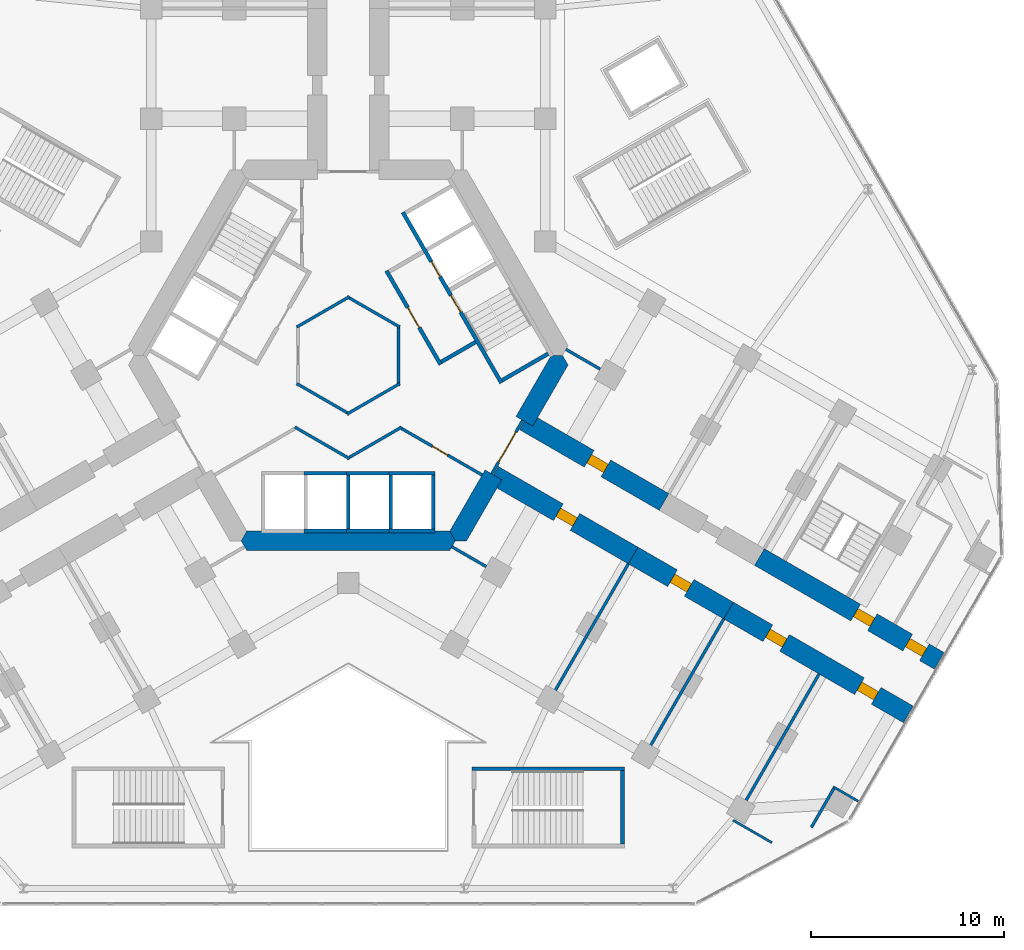
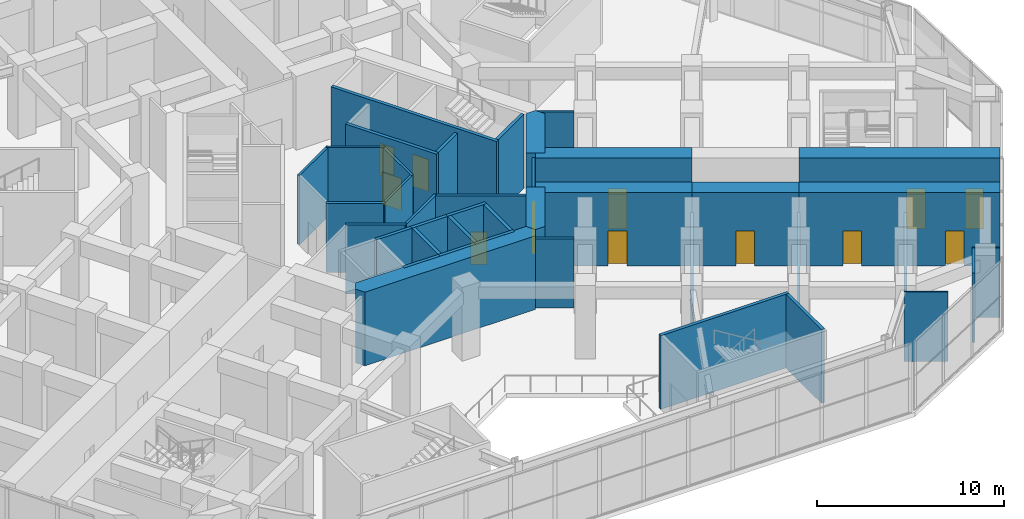
# One storey, part 16 of 22: 40 walls, 12 doors, 12 openings.
"""IFC4 building model written with IfcOpenShell, lengths in metres."""

from ifc_helpers import new_model, si_unit, direction, frame, frame_2d, origin, place, context, subcontext, project, spatial, polyline, rectangle, outline, extrude, material, layer, layer_set, type_object, element, fill, save


model = new_model("IFC4")

# Units and contexts
model_context = context("Model", 3, precision=1e-05, world=origin(), true_north=direction((0.0, 1.0)))
body_context = subcontext(model_context, "Body", "Model", "MODEL_VIEW")
ifc_project = project(units=[si_unit("LENGTHUNIT", "METRE"), si_unit("AREAUNIT", "SQUARE_METRE"), si_unit("VOLUMEUNIT", "CUBIC_METRE"), si_unit("PLANEANGLEUNIT", "RADIAN"), si_unit("MASSUNIT", "GRAM", prefix="KILO")], contexts=[model_context])

# Site, building, storey
site_placement = place(None, origin())
site = spatial("IfcSite", under=ifc_project, at=site_placement, CompositionType="ELEMENT")
building_placement = place(site_placement, origin())
building = spatial("IfcBuilding", under=site, at=building_placement, Name="Kosmar Iwan School Tower", CompositionType="ELEMENT")
storey_placement = place(building_placement, frame((0.0, 0.0, 10.800048828125)))
storey = spatial("IfcBuildingStorey", under=building, at=storey_placement, Name="L02", CompositionType="ELEMENT", Elevation=10.800048828125)

# Walls
ifc_material_1 = material(Name="Gypsum board on steel studs, fire-rated", Category="steel")
ifc_layer_1 = layer(ifc_material_1, 0.14990234375)
ifc_layer_set_1 = layer_set([ifc_layer_1], Name="Core room partition 150")
wall_type_1 = type_object("IfcWallType", Name="Core room partition 150", PredefinedType="PARTITIONING", material=ifc_layer_set_1)
for number, where, z_axis, x_axis, name in (
    (1, (2.6650390625, -1.463623046875, 0.0), (0.0, 0.0, 1.0), (-0.866023080072, -0.500004024767, 0.0), "Core room partition L02-CW4"),
    (2, (0.06494140625, -3.039794921875, 0.0), (0.0, 0.0, 1.0), (-0.866023080072, 0.500004024767, 0.0), "Core room partition L02-CW5"),
    (3, (-2.6650390625, 1.463623046875, 0.0), (0.0, 0.0, 1.0), (0.866023080072, 0.500004024767, 0.0), "Core room partition L02-CW7"),
    (4, (-0.06494140625, 3.039794921875, 0.0), (0.0, 0.0, 1.0), (0.866023080072, -0.500004024767, 0.0), "Core room partition L02-CW8"),
    (5, (2.60009765625, 1.576171875, 0.0), (0.0, 0.0, 1.0), (0.0, -1.0, 0.0), "Core room partition L02-CW9"),
):
    element("IfcWall", number, at=place(storey_placement, frame(where, z_axis=z_axis, x_axis=x_axis)), inside=storey, type_object=wall_type_1, Name=name, PredefinedType="PARTITIONING", context=body_context, shape_type="SweptSolid", body=[
        extrude(rectangle(XDim=3.15234375, YDim=0.14990234375, at=frame_2d((1.576171875, 0.0))), origin(), (0.0, 0.0, 1.0), 4.5),
    ])
for number, where, z_axis, x_axis, name in (
    (6, (-2.764892578125, -3.71533203125, 0.0), (0.0, 0.0, 1.0), (0.866027570447, -0.499996247212, 0.0), "Core room partition L02-CW10"),
    (7, (-0.06494140625, -5.34912109375, 0.0), (0.0, 0.0, 1.0), (0.866027570447, 0.499996247212, 0.0), "Core room partition L02-CW11"),
):
    element("IfcWall", number, at=place(storey_placement, frame(where, z_axis=z_axis, x_axis=x_axis)), inside=storey, type_object=wall_type_1, Name=name, PredefinedType="PARTITIONING", context=body_context, shape_type="SweptSolid", body=[
        extrude(rectangle(XDim=3.267578125, YDim=0.14990234375, at=frame_2d((1.6337890625, 0.0))), origin(), (0.0, 0.0, 1.0), 4.5),
    ])

# Wall, opening, door
wall_1_placement = place(storey_placement, frame((2.635009765625, -3.71533203125, 0.0), z_axis=(0.0, 0.0, 1.0), x_axis=(0.8660265831, -0.49999795736, 0.0)))
wall_1 = element("IfcWall", 8, at=wall_1_placement, inside=storey, type_object=wall_type_1, Name="Core room partition L02-CW12", PredefinedType="PARTITIONING", context=body_context, shape_type="SweptSolid", body=[
    extrude(rectangle(XDim=4.96044921875, YDim=0.14990234375, at=frame_2d((2.480224609375, 0.0))), origin(), (0.0, 0.0, 1.0), 4.5),
])
opening_1_placement = place(wall_1_placement, frame((1.988037109375, 0.0, 0.0)))
opening_1 = element("IfcOpeningElement", 9, at=opening_1_placement, cuts=wall_1, Name="Opening D14", PredefinedType="OPENING", context=body_context, shape_type="SweptSolid", body=[
    extrude(rectangle(XDim=0.89990234375, YDim=2.10009765625, at=frame_2d((0.449951171875, 1.050048828125))), frame((0.0, 0.0869140625, 0.0), z_axis=(0.0, -1.0, 0.0), x_axis=(1.0, 0.0, 0.0)), (0.0, 0.0, 1.0), 0.173828125),
])
ifc_material_2 = material(Name="Timber fire door in steel frame", Category="steel")
door_type_1 = type_object("IfcDoorType", Name="Core room door 900x2100", OperationType="SINGLE_SWING_LEFT", PredefinedType="DOOR", material=ifc_material_2)
door_1_placement = place(opening_1_placement, origin())
door_1 = element("IfcDoor", 10, at=door_1_placement, inside=storey, type_object=door_type_1, Name="Parents' meeting room door L02 4", OperationType="SINGLE_SWING_LEFT", OverallHeight=2.10009765625, OverallWidth=0.89990234375, PredefinedType="DOOR", context=body_context, shape_type="SweptSolid", body=[
    extrude(rectangle(XDim=0.89990234375, YDim=2.10009765625, at=frame_2d((0.449951171875, 1.050048828125))), frame((0.0, 0.02490234375, 0.0), z_axis=(0.0, -1.0, 0.0), x_axis=(1.0, 0.0, 0.0)), (0.0, 0.0, 1.0), 0.050048828125),
])
fill(opening_1, door_1)

# Walls
ifc_material_3 = material(Name="Concrete C50/60", Category="concrete")
ifc_layer_2 = layer(ifc_material_3, 1.0)
ifc_layer_set_2 = layer_set([ifc_layer_2], Name="Core wall 1000")
wall_type_2 = type_object("IfcWallType", Name="Core wall 1000", PredefinedType="SHEAR", material=ifc_layer_set_2)
wall_2_placement = place(storey_placement, origin())
element("IfcWall", 11, at=wall_2_placement, inside=storey, type_object=wall_type_2, Name="Core wall F270", PredefinedType="SHEAR", context=body_context, shape_type="SweptSolid", body=[
    extrude(outline(polyline([(-5.25390625, -10.10009765625), (5.25390625, -10.10009765625), (5.54248046875, -9.60009765625), (5.25390625, -9.10009765625), (-5.25390625, -9.10009765625), (-5.54248046875, -9.60009765625), (-5.25390625, -10.10009765625)])), origin(), (0.0, 0.0, 1.0), 4.800048828125),
])
wall_3_placement = place(storey_placement, origin())
element("IfcWall", 12, at=wall_3_placement, inside=storey, type_object=wall_type_2, Name="Core wall F330a", PredefinedType="SHEAR", context=body_context, shape_type="SweptSolid", body=[
    extrude(outline(polyline([(5.54248046875, -9.60009765625), (6.119873046875, -9.60009765625), (7.94677734375, -6.435546875), (7.080810546875, -5.935546875), (5.25390625, -9.10009765625), (5.54248046875, -9.60009765625)])), origin(), (0.0, 0.0, 1.0), 4.800048828125),
])
wall_4_placement = place(storey_placement, origin())
element("IfcWall", 13, at=wall_4_placement, inside=storey, type_object=wall_type_2, Name="Core wall F330b", PredefinedType="SHEAR", context=body_context, shape_type="SweptSolid", body=[
    extrude(outline(polyline([(9.546875, -3.664306640625), (11.373779296875, -0.5), (11.085205078125, 0.0), (10.5078125, 0.0), (8.680908203125, -3.164306640625), (9.546875, -3.664306640625)])), origin(), (0.0, 0.0, 1.0), 4.800048828125),
])

# Wall, opening, door
ifc_material_4 = material(Name="Concrete C50/60", Category="concrete")
ifc_layer_3 = layer(ifc_material_4, 1.0)
ifc_layer_set_3 = layer_set([ifc_layer_3], Name="Corridor buttress wall 1000")
wall_type_3 = type_object("IfcWallType", Name="Corridor buttress wall 1000", PredefinedType="SHEAR", material=ifc_layer_set_3)
wall_5_placement = place(storey_placement, frame((9.11376953125, -3.414306640625, 0.0), z_axis=(0.0, 0.0, 1.0), x_axis=(0.866026859388, -0.499997478812, 0.0)))
wall_5 = element("IfcWall", 14, at=wall_5_placement, inside=storey, type_object=wall_type_3, Name="Corridor wall CL", PredefinedType="SHEAR", context=body_context, shape_type="SweptSolid", body=[
    extrude(rectangle(XDim=8.35009765625, YDim=1.0, at=frame_2d((4.175048828125, 0.0))), origin(), (0.0, 0.0, 1.0), 4.800048828125),
])
opening_2_placement = place(wall_5_placement, frame((3.875, 0.0, 0.0)))
opening_2 = element("IfcOpeningElement", 15, at=opening_2_placement, cuts=wall_5, Name="Opening D4", PredefinedType="OPENING", context=body_context, shape_type="SweptSolid", body=[
    extrude(rectangle(XDim=1.0, YDim=2.300048828125, at=frame_2d((0.5, 1.14990234375))), frame((0.0, 0.511962890625, 0.0), z_axis=(0.0, -1.0, 0.0), x_axis=(1.0, 0.0, 0.0)), (0.0, 0.0, 1.0), 1.02392578125),
])
ifc_material_5 = material(Name="Timber fire door with vision panel", Category="wood")
door_type_2 = type_object("IfcDoorType", Name="Classroom door 1000x2300", OperationType="SINGLE_SWING_LEFT", PredefinedType="DOOR", material=ifc_material_5)
door_2_placement = place(opening_2_placement, origin())
door_2 = element("IfcDoor", 16, at=door_2_placement, inside=storey, type_object=door_type_2, Name="Primary classroom CL1 door L02-CL1", OperationType="SINGLE_SWING_RIGHT", OverallHeight=2.300048828125, OverallWidth=1.0, PredefinedType="DOOR", context=body_context, shape_type="SweptSolid", body=[
    extrude(rectangle(XDim=1.0, YDim=2.300048828125, at=frame_2d((0.5, 1.14990234375))), frame((0.0, 0.25, 0.0), z_axis=(0.0, -1.0, 0.0), x_axis=(1.0, 0.0, 0.0)), (0.0, 0.0, 1.0), 0.5),
])
fill(opening_2, door_2)

# Wall, openings, doors
wall_6_placement = place(storey_placement, frame((21.281494140625, -10.439453125, 0.0), z_axis=(0.0, 0.0, 1.0), x_axis=(0.866032345022, -0.499987977232, 0.0)))
wall_6 = element("IfcWall", 17, at=wall_6_placement, inside=storey, type_object=wall_type_3, Name="Corridor wall CL bay 3", PredefinedType="SHEAR", context=body_context, shape_type="SweptSolid", body=[
    extrude(rectangle(XDim=10.744873046875, YDim=1.0, at=frame_2d((5.37255859375, 0.0))), origin(), (0.0, 0.0, 1.0), 4.800048828125),
])
opening_3_placement = place(wall_6_placement, frame((5.75, 0.0, 0.0)))
opening_3 = element("IfcOpeningElement", 18, at=opening_3_placement, cuts=wall_6, Name="Opening D4", PredefinedType="OPENING", context=body_context, shape_type="SweptSolid", body=[
    extrude(rectangle(XDim=1.0, YDim=2.300048828125, at=frame_2d((0.5, 1.14990234375))), frame((0.0, 0.511962890625, 0.0), z_axis=(0.0, -1.0, 0.0), x_axis=(1.0, 0.0, 0.0)), (0.0, 0.0, 1.0), 1.02392578125),
])
opening_4_placement = place(wall_6_placement, frame((8.860107421875, 0.0, 0.0)))
opening_4 = element("IfcOpeningElement", 19, at=opening_4_placement, cuts=wall_6, Name="Opening D4", PredefinedType="OPENING", context=body_context, shape_type="SweptSolid", body=[
    extrude(rectangle(XDim=1.0, YDim=2.300048828125, at=frame_2d((0.5, 1.14990234375))), frame((0.0, 0.511962890625, 0.0), z_axis=(0.0, -1.0, 0.0), x_axis=(1.0, 0.0, 0.0)), (0.0, 0.0, 1.0), 1.02392578125),
])
door_3_placement = place(opening_3_placement, origin())
door_3 = element("IfcDoor", 20, at=door_3_placement, inside=storey, type_object=door_type_2, Name="Primary classroom CL3 door L02-CL3", OperationType="SINGLE_SWING_LEFT", OverallHeight=2.300048828125, OverallWidth=1.0, PredefinedType="DOOR", context=body_context, shape_type="SweptSolid", body=[
    extrude(rectangle(XDim=1.0, YDim=2.300048828125, at=frame_2d((0.5, 1.14990234375))), frame((0.0, 0.25, 0.0), z_axis=(0.0, -1.0, 0.0), x_axis=(1.0, 0.0, 0.0)), (0.0, 0.0, 1.0), 0.5),
])
fill(opening_3, door_3)
door_4_placement = place(opening_4_placement, origin())
door_4 = element("IfcDoor", 21, at=door_4_placement, inside=storey, type_object=door_type_2, Name="Toilets door L02-CL4", OperationType="SINGLE_SWING_RIGHT", OverallHeight=2.300048828125, OverallWidth=1.0, PredefinedType="DOOR", context=body_context, shape_type="SweptSolid", body=[
    extrude(rectangle(XDim=1.0, YDim=2.300048828125, at=frame_2d((0.5, 1.14990234375))), frame((0.0, 0.25, 0.0), z_axis=(0.0, -1.0, 0.0), x_axis=(1.0, 0.0, 0.0)), (0.0, 0.0, 1.0), 0.5),
])
fill(opening_4, door_4)

# Wall, opening, door
wall_7_placement = place(storey_placement, frame((7.513916015625, -6.185546875, 0.0), z_axis=(0.0, 0.0, 1.0), x_axis=(0.866019549707, -0.500010139422, 0.0)))
wall_7 = element("IfcWall", 22, at=wall_7_placement, inside=storey, type_object=wall_type_3, Name="Corridor wall CR", PredefinedType="SHEAR", context=body_context, shape_type="SweptSolid", body=[
    extrude(rectangle(XDim=8.349853515625, YDim=1.0, at=frame_2d((4.1748046875, 0.0))), origin(), (0.0, 0.0, 1.0), 4.800048828125),
])
opening_5_placement = place(wall_7_placement, frame((3.875, 0.0, 0.0)))
opening_5 = element("IfcOpeningElement", 23, at=opening_5_placement, cuts=wall_7, Name="Opening D4", PredefinedType="OPENING", context=body_context, shape_type="SweptSolid", body=[
    extrude(rectangle(XDim=1.0, YDim=2.300048828125, at=frame_2d((0.5, 1.14990234375))), frame((0.0, 0.511962890625, 0.0), z_axis=(0.0, -1.0, 0.0), x_axis=(1.0, 0.0, 0.0)), (0.0, 0.0, 1.0), 1.02392578125),
])
door_5_placement = place(opening_5_placement, origin())
door_5 = element("IfcDoor", 24, at=door_5_placement, inside=storey, type_object=door_type_2, Name="Primary classroom CR1 door L02-CR1", OperationType="SINGLE_SWING_RIGHT", OverallHeight=2.300048828125, OverallWidth=1.0, PredefinedType="DOOR", context=body_context, shape_type="SweptSolid", body=[
    extrude(rectangle(XDim=1.0, YDim=2.300048828125, at=frame_2d((0.5, 1.14990234375))), frame((0.0, 0.25, 0.0), z_axis=(0.0, -1.0, 0.0), x_axis=(1.0, 0.0, 0.0)), (0.0, 0.0, 1.0), 0.5),
])
fill(opening_5, door_5)

wall_8_placement = place(storey_placement, frame((14.7451171875, -10.360595703125, 0.0), z_axis=(0.0, 0.0, 1.0), x_axis=(0.866015111908, -0.50001782563, 0.0)))
wall_8 = element("IfcWall", 25, at=wall_8_placement, inside=storey, type_object=wall_type_3, Name="Corridor wall CR bay 2", PredefinedType="SHEAR", context=body_context, shape_type="SweptSolid", body=[
    extrude(rectangle(XDim=5.699951171875, YDim=1.0, at=frame_2d((2.85009765625, 0.0))), origin(), (0.0, 0.0, 1.0), 4.800048828125),
])
opening_6_placement = place(wall_8_placement, frame((2.35009765625, 0.0, 0.0)))
opening_6 = element("IfcOpeningElement", 26, at=opening_6_placement, cuts=wall_8, Name="Opening D4", PredefinedType="OPENING", context=body_context, shape_type="SweptSolid", body=[
    extrude(rectangle(XDim=1.0, YDim=2.300048828125, at=frame_2d((0.5, 1.14990234375))), frame((0.0, 0.511962890625, 0.0), z_axis=(0.0, -1.0, 0.0), x_axis=(1.0, 0.0, 0.0)), (0.0, 0.0, 1.0), 1.02392578125),
])
door_6_placement = place(opening_6_placement, origin())
door_6 = element("IfcDoor", 27, at=door_6_placement, inside=storey, type_object=door_type_2, Name="Primary classroom CR2 door L02-CR2", OperationType="SINGLE_SWING_LEFT", OverallHeight=2.300048828125, OverallWidth=1.0, PredefinedType="DOOR", context=body_context, shape_type="SweptSolid", body=[
    extrude(rectangle(XDim=1.0, YDim=2.300048828125, at=frame_2d((0.5, 1.14990234375))), frame((0.0, 0.25, 0.0), z_axis=(0.0, -1.0, 0.0), x_axis=(1.0, 0.0, 0.0)), (0.0, 0.0, 1.0), 0.5),
])
fill(opening_6, door_6)

# Wall, openings, doors
wall_9_placement = place(storey_placement, frame((19.681396484375, -13.210693359375, 0.0), z_axis=(0.0, 0.0, 1.0), x_axis=(0.866028186671, -0.499995179869, 0.0)))
wall_9 = element("IfcWall", 28, at=wall_9_placement, inside=storey, type_object=wall_type_3, Name="Corridor wall CR bay 3", PredefinedType="SHEAR", context=body_context, shape_type="SweptSolid", body=[
    extrude(rectangle(XDim=10.7451171875, YDim=1.0, at=frame_2d((5.37255859375, 0.0))), origin(), (0.0, 0.0, 1.0), 4.800048828125),
])
opening_7_placement = place(wall_9_placement, frame((2.35009765625, 0.0, 0.0)))
opening_7 = element("IfcOpeningElement", 29, at=opening_7_placement, cuts=wall_9, Name="Opening D4", PredefinedType="OPENING", context=body_context, shape_type="SweptSolid", body=[
    extrude(rectangle(XDim=1.0, YDim=2.300048828125, at=frame_2d((0.5, 1.14990234375))), frame((0.0, 0.511962890625, 0.0), z_axis=(0.0, -1.0, 0.0), x_axis=(1.0, 0.0, 0.0)), (0.0, 0.0, 1.0), 1.02392578125),
])
opening_8_placement = place(wall_9_placement, frame((7.824951171875, 0.0, 0.0)))
opening_8 = element("IfcOpeningElement", 30, at=opening_8_placement, cuts=wall_9, Name="Opening D4", PredefinedType="OPENING", context=body_context, shape_type="SweptSolid", body=[
    extrude(rectangle(XDim=1.0, YDim=2.300048828125, at=frame_2d((0.5, 1.14990234375))), frame((0.0, 0.511962890625, 0.0), z_axis=(0.0, -1.0, 0.0), x_axis=(1.0, 0.0, 0.0)), (0.0, 0.0, 1.0), 1.02392578125),
])
door_7_placement = place(opening_7_placement, origin())
door_7 = element("IfcDoor", 31, at=door_7_placement, inside=storey, type_object=door_type_2, Name="Primary classroom CR3 door L02-CR3", OperationType="SINGLE_SWING_LEFT", OverallHeight=2.300048828125, OverallWidth=1.0, PredefinedType="DOOR", context=body_context, shape_type="SweptSolid", body=[
    extrude(rectangle(XDim=1.0, YDim=2.300048828125, at=frame_2d((0.5, 1.14990234375))), frame((0.0, 0.25, 0.0), z_axis=(0.0, -1.0, 0.0), x_axis=(1.0, 0.0, 0.0)), (0.0, 0.0, 1.0), 0.5),
])
fill(opening_7, door_7)
door_8_placement = place(opening_8_placement, origin())
door_8 = element("IfcDoor", 32, at=door_8_placement, inside=storey, type_object=door_type_2, Name="Toilets door L02-CR4", OperationType="SINGLE_SWING_RIGHT", OverallHeight=2.300048828125, OverallWidth=1.0, PredefinedType="DOOR", context=body_context, shape_type="SweptSolid", body=[
    extrude(rectangle(XDim=1.0, YDim=2.300048828125, at=frame_2d((0.5, 1.14990234375))), frame((0.0, 0.25, 0.0), z_axis=(0.0, -1.0, 0.0), x_axis=(1.0, 0.0, 0.0)), (0.0, 0.0, 1.0), 0.5),
])
fill(opening_8, door_8)

# Wall, opening, door
ifc_material_6 = material(Name="Steel framed glazed screen", Category="steel")
ifc_layer_4 = layer(ifc_material_6, 0.14990234375)
ifc_layer_set_4 = layer_set([ifc_layer_4], Name="Corridor screen wall 150")
wall_type_4 = type_object("IfcWallType", Name="Corridor screen wall 150", PredefinedType="PARTITIONING", material=ifc_layer_set_4)
wall_10_placement = place(storey_placement, frame((7.42724609375, -6.1357421875, 0.0), z_axis=(0.0, 0.0, 1.0), x_axis=(0.499995408039, 0.866028054938, 0.0)))
wall_10 = element("IfcWall", 33, at=wall_10_placement, inside=storey, type_object=wall_type_4, Name="Corridor screen C L02", PredefinedType="PARTITIONING", context=body_context, shape_type="SweptSolid", body=[
    extrude(rectangle(XDim=3.2001953125, YDim=0.14990234375, at=frame_2d((1.60009765625, 0.0))), origin(), (0.0, 0.0, 1.0), 4.5),
])
opening_9_placement = place(wall_10_placement, frame((0.699951171875, 0.0, 0.0)))
opening_9 = element("IfcOpeningElement", 34, at=opening_9_placement, cuts=wall_10, Name="Opening D9", PredefinedType="OPENING", context=body_context, shape_type="SweptSolid", body=[
    extrude(rectangle(XDim=1.800048828125, YDim=2.10009765625, at=frame_2d((0.89990234375, 1.050048828125))), frame((0.0, 0.0869140625, 0.0), z_axis=(0.0, -1.0, 0.0), x_axis=(1.0, 0.0, 0.0)), (0.0, 0.0, 1.0), 0.173828125),
])
ifc_material_7 = material(Name="Steel framed glazed smoke door", Category="steel")
door_type_3 = type_object("IfcDoorType", Name="Corridor smoke door pair 1800x2100", OperationType="DOUBLE_DOOR_DOUBLE_SWING", PredefinedType="DOOR", material=ifc_material_7)
door_9_placement = place(opening_9_placement, origin())
door_9 = element("IfcDoor", 35, at=door_9_placement, inside=storey, type_object=door_type_3, Name="Corridor doors C L02", OperationType="DOUBLE_DOOR_DOUBLE_SWING", OverallHeight=2.10009765625, OverallWidth=1.800048828125, PredefinedType="DOOR", context=body_context, shape_type="SweptSolid", body=[
    extrude(rectangle(XDim=1.800048828125, YDim=2.10009765625, at=frame_2d((0.89990234375, 1.050048828125))), frame((0.0, 0.02490234375, 0.0), z_axis=(0.0, -1.0, 0.0), x_axis=(1.0, 0.0, 0.0)), (0.0, 0.0, 1.0), 0.050048828125),
])
fill(opening_9, door_9)

# Walls
ifc_material_8 = material(Name="Gypsum board on steel studs", Category="steel")
ifc_layer_5 = layer(ifc_material_8, 0.1201171875)
ifc_layer_set_5 = layer_set([ifc_layer_5], Name="Dwelling partition 120")
wall_type_5 = type_object("IfcWallType", Name="Dwelling partition 120", PredefinedType="PARTITIONING", material=ifc_layer_set_5)
wall_11_placement = place(storey_placement, frame((25.09716796875, -22.330322265625, 0.0), z_axis=(0.0, 0.0, 1.0), x_axis=(0.866003374288, -0.500038154266, 0.0)))
element("IfcWall", 36, at=wall_11_placement, inside=storey, type_object=wall_type_5, Name="Partition L02-CR-DL", PredefinedType="PARTITIONING", context=body_context, shape_type="SweptSolid", body=[
    extrude(rectangle(XDim=1.4951171875, YDim=0.1201171875, at=frame_2d((0.74755859375, 0.0))), origin(), (0.0, 0.0, 1.0), 4.5),
])
wall_12_placement = place(storey_placement, frame((19.912841796875, -24.059814453125, 0.0), z_axis=(0.0, 0.0, 1.0), x_axis=(0.866024722723, -0.500001179632, 0.0)))
element("IfcWall", 37, at=wall_12_placement, inside=storey, type_object=wall_type_5, Name="Partition L02-CR-TW", PredefinedType="PARTITIONING", context=body_context, shape_type="SweptSolid", body=[
    extrude(rectangle(XDim=2.3251953125, YDim=0.1201171875, at=frame_2d((1.16259765625, 0.0))), origin(), (0.0, 0.0, 1.0), 4.5),
])

# Wall, opening, door
ifc_material_9 = material(Name="Concrete block masonry", Category="masonry")
ifc_layer_6 = layer(ifc_material_9, 0.199951171875)
ifc_layer_set_6 = layer_set([ifc_layer_6], Name="Fire lobby wall 200")
wall_type_6 = type_object("IfcWallType", Name="Fire lobby wall 200", PredefinedType="PARTITIONING", material=ifc_layer_set_6)
wall_13_placement = place(storey_placement, frame((4.777587890625, -0.474853515625, 0.0), z_axis=(0.0, 0.0, 1.0), x_axis=(-0.500016814911, 0.866015695474, 0.0)))
wall_13 = element("IfcWall", 38, at=wall_13_placement, inside=storey, type_object=wall_type_6, Name="Firefighting lobby wall ST1", PredefinedType="PARTITIONING", context=body_context, shape_type="SweptSolid", body=[
    extrude(rectangle(XDim=5.599853515625, YDim=0.199951171875, at=frame_2d((2.7998046875, 0.0))), origin(), (0.0, 0.0, 1.0), 4.5),
])
opening_10_placement = place(wall_13_placement, frame((2.199951171875, 0.0, 0.0)))
opening_10 = element("IfcOpeningElement", 39, at=opening_10_placement, cuts=wall_13, Name="Opening D7", PredefinedType="OPENING", context=body_context, shape_type="SweptSolid", body=[
    extrude(rectangle(XDim=1.199951171875, YDim=2.10009765625, at=frame_2d((0.60009765625, 1.050048828125))), frame((0.0, 0.112060546875, 0.0), z_axis=(0.0, -1.0, 0.0), x_axis=(1.0, 0.0, 0.0)), (0.0, 0.0, 1.0), 0.223876953125),
])
ifc_material_10 = material(Name="Steel fire door", Category="steel")
door_type_4 = type_object("IfcDoorType", Name="Fire lobby door 1200x2100", OperationType="SINGLE_SWING_LEFT", PredefinedType="DOOR", material=ifc_material_10)
door_10_placement = place(opening_10_placement, frame((1.199951171875, 0.0, 0.0), z_axis=(0.0, 0.0, 1.0), x_axis=(-1.0, 0.0, 0.0)))
door_10 = element("IfcDoor", 40, at=door_10_placement, inside=storey, type_object=door_type_4, Name="Firefighting lobby door ST1 L02", OperationType="SINGLE_SWING_RIGHT", OverallHeight=2.10009765625, OverallWidth=1.199951171875, PredefinedType="DOOR", context=body_context, shape_type="SweptSolid", body=[
    extrude(rectangle(XDim=1.199951171875, YDim=2.10009765625, at=frame_2d((0.60009765625, 1.050048828125))), frame((0.0, 0.02490234375, 0.0), z_axis=(0.0, -1.0, 0.0), x_axis=(1.0, 0.0, 0.0)), (0.0, 0.0, 1.0), 0.050048828125),
])
fill(opening_10, door_10)

# Wall
wall_14_placement = place(storey_placement, frame((4.814208984375, -0.33837890625, 0.0), z_axis=(0.0, 0.0, 1.0), x_axis=(0.865969381856, 0.500097020274, 0.0)))
element("IfcWall", 41, at=wall_14_placement, inside=storey, type_object=wall_type_6, Name="Firefighting lobby wall ST1", PredefinedType="PARTITIONING", context=body_context, shape_type="SweptSolid", body=[
    extrude(rectangle(XDim=2.0498046875, YDim=0.199951171875, at=frame_2d((1.02490234375, 0.0))), origin(), (0.0, 0.0, 1.0), 4.5),
])

# Wall, openings, doors
ifc_material_11 = material(Name="Concrete C50/60", Category="concrete")
ifc_layer_7 = layer(ifc_material_11, 0.199951171875)
ifc_layer_set_7 = layer_set([ifc_layer_7], Name="Lift shaft wall 200")
wall_type_7 = type_object("IfcWallType", Name="Lift shaft wall 200", PredefinedType="SHEAR", material=ifc_layer_set_7)
wall_15_placement = place(storey_placement, frame((7.926025390625, -1.42822265625, 0.0), z_axis=(0.0, 0.0, 1.0), x_axis=(-0.499998023675, 0.866026544813, 0.0)))
wall_15 = element("IfcWall", 42, at=wall_15_placement, inside=storey, type_object=wall_type_7, Name="Lift and stair front wall AC", PredefinedType="SHEAR", context=body_context, shape_type="SweptSolid", body=[
    extrude(rectangle(XDim=10.19970703125, YDim=0.199951171875, at=frame_2d((5.099853515625, 0.0))), origin(), (0.0, 0.0, 1.0), 4.800048828125),
])
opening_11_placement = place(wall_15_placement, frame((6.35009765625, 0.0, 0.0)))
opening_11 = element("IfcOpeningElement", 43, at=opening_11_placement, cuts=wall_15, Name="Opening LD2", PredefinedType="OPENING", context=body_context, shape_type="SweptSolid", body=[
    extrude(rectangle(XDim=0.89990234375, YDim=2.10009765625, at=frame_2d((0.449951171875, 1.050048828125))), frame((0.0, 0.112060546875, 0.0), z_axis=(0.0, -1.0, 0.0), x_axis=(1.0, 0.0, 0.0)), (0.0, 0.0, 1.0), 0.223876953125),
])
opening_12_placement = place(wall_15_placement, frame((4.22998046875, 0.0, 0.0)))
opening_12 = element("IfcOpeningElement", 44, at=opening_12_placement, cuts=wall_15, Name="Opening D6", PredefinedType="OPENING", context=body_context, shape_type="SweptSolid", body=[
    extrude(rectangle(XDim=1.0, YDim=2.10009765625, at=frame_2d((0.5, 1.050048828125))), frame((0.0, 0.112060546875, 0.0), z_axis=(0.0, -1.0, 0.0), x_axis=(1.0, 0.0, 0.0)), (0.0, 0.0, 1.0), 0.223876953125),
])
ifc_material_12 = material(Name="Stainless steel sliding lift door", Category="steel")
door_type_5 = type_object("IfcDoorType", Name="Firefighting lift landing door 900x2100", OperationType="SLIDING_TO_LEFT", PredefinedType="DOOR", material=ifc_material_12)
door_11_placement = place(opening_11_placement, origin())
door_11 = element("IfcDoor", 45, at=door_11_placement, inside=storey, type_object=door_type_5, Name="Lift FF1 landing door L02", OperationType="SLIDING_TO_LEFT", OverallHeight=2.10009765625, OverallWidth=0.89990234375, PredefinedType="DOOR", context=body_context, shape_type="SweptSolid", body=[
    extrude(rectangle(XDim=0.89990234375, YDim=2.10009765625, at=frame_2d((0.449951171875, 1.050048828125))), frame((0.0, 0.02490234375, 0.0), z_axis=(0.0, -1.0, 0.0), x_axis=(1.0, 0.0, 0.0)), (0.0, 0.0, 1.0), 0.050048828125),
])
fill(opening_11, door_11)
ifc_material_13 = material(Name="Steel fire door", Category="steel")
door_type_6 = type_object("IfcDoorType", Name="Stair door 1000x2100", OperationType="SINGLE_SWING_LEFT", PredefinedType="DOOR", material=ifc_material_13)
door_12_placement = place(opening_12_placement, origin())
door_12 = element("IfcDoor", 46, at=door_12_placement, inside=storey, type_object=door_type_6, Name="Stair ST1 door L02", OperationType="SINGLE_SWING_LEFT", OverallHeight=2.10009765625, OverallWidth=1.0, PredefinedType="DOOR", context=body_context, shape_type="SweptSolid", body=[
    extrude(rectangle(XDim=1.0, YDim=2.10009765625, at=frame_2d((0.5, 1.050048828125))), frame((0.0, 0.02490234375, 0.0), z_axis=(0.0, -1.0, 0.0), x_axis=(1.0, 0.0, 0.0)), (0.0, 0.0, 1.0), 0.050048828125),
])
fill(opening_12, door_12)

# Walls
for number, where, z_axis, x_axis, name in (
    (47, (-2.300048828125, -6.10009765625, 0.0), (0.0, 0.0, 1.0), (1.0, 0.0, 0.0), "Lift and stair front wall BC"),
    (48, (-2.300048828125, -9.10009765625, 0.0), (0.0, 0.0, 1.0), (1.0, 0.0, 0.0), "Lift and stair back wall BC"),
):
    element("IfcWall", number, at=place(storey_placement, frame(where, z_axis=z_axis, x_axis=x_axis)), inside=storey, type_object=wall_type_7, Name=name, PredefinedType="SHEAR", context=body_context, shape_type="SweptSolid", body=[
        extrude(rectangle(XDim=2.199951171875, YDim=0.199951171875, at=frame_2d((1.10009765625, 0.0))), origin(), (0.0, 0.0, 1.0), 4.800048828125),
    ])
for number, where, z_axis, x_axis, name in (
    (49, (-0.10009765625, -6.10009765625, 0.0), (0.0, 0.0, 1.0), (1.0, 0.0, 0.0), "Lift and stair front wall BC"),
    (50, (-0.10009765625, -9.10009765625, 0.0), (0.0, 0.0, 1.0), (1.0, 0.0, 0.0), "Lift and stair back wall BC"),
):
    element("IfcWall", number, at=place(storey_placement, frame(where, z_axis=z_axis, x_axis=x_axis)), inside=storey, type_object=wall_type_7, Name=name, PredefinedType="SHEAR", context=body_context, shape_type="SweptSolid", body=[
        extrude(rectangle(XDim=2.2001953125, YDim=0.199951171875, at=frame_2d((1.10009765625, 0.0))), origin(), (0.0, 0.0, 1.0), 4.800048828125),
    ])
for number, where, z_axis, x_axis, name in (
    (51, (2.10009765625, -6.10009765625, 0.0), (0.0, 0.0, 1.0), (1.0, 0.0, 0.0), "Lift and stair front wall BC"),
    (52, (2.10009765625, -9.10009765625, 0.0), (0.0, 0.0, 1.0), (1.0, 0.0, 0.0), "Lift and stair back wall BC"),
):
    element("IfcWall", number, at=place(storey_placement, frame(where, z_axis=z_axis, x_axis=x_axis)), inside=storey, type_object=wall_type_7, Name=name, PredefinedType="SHEAR", context=body_context, shape_type="SweptSolid", body=[
        extrude(rectangle(XDim=2.39990234375, YDim=0.199951171875, at=frame_2d((1.199951171875, 0.0))), origin(), (0.0, 0.0, 1.0), 4.800048828125),
    ])
for number, where, z_axis, x_axis, name in (
    (53, (0.0, -6.199951171875, 0.0), (0.0, 0.0, 1.0), (0.0, -1.0, 0.0), "Lift shaft wall BC 2"),
    (54, (2.199951171875, -6.199951171875, 0.0), (0.0, 0.0, 1.0), (0.0, -1.0, 0.0), "Lift shaft wall BC 3"),
    (55, (4.39990234375, -6.199951171875, 0.0), (0.0, 0.0, 1.0), (0.0, -1.0, 0.0), "Lift shaft wall BC 4"),
):
    element("IfcWall", number, at=place(storey_placement, frame(where, z_axis=z_axis, x_axis=x_axis)), inside=storey, type_object=wall_type_7, Name=name, PredefinedType="SHEAR", context=body_context, shape_type="SweptSolid", body=[
        extrude(rectangle(XDim=2.800048828125, YDim=0.199951171875, at=frame_2d((1.39990234375, 0.0))), origin(), (0.0, 0.0, 1.0), 4.800048828125),
    ])
ifc_material_14 = material(Name="Gypsum board on steel studs", Category="steel")
ifc_layer_8 = layer(ifc_material_14, 0.14990234375)
ifc_layer_set_8 = layer_set([ifc_layer_8], Name="School partition 150")
wall_type_8 = type_object("IfcWallType", Name="School partition 150", PredefinedType="PARTITIONING", material=ifc_layer_set_8)
for number, where, z_axis, x_axis, name in (
    (56, (11.263916015625, 0.3095703125, 0.0), (0.0, 0.0, 1.0), (0.865999163574, -0.500045446624, 0.0), "Partition L02-CL-NB"),
    (57, (5.36376953125, -9.909423828125, 0.0), (0.0, 0.0, 1.0), (0.865999163574, -0.500045446624, 0.0), "Partition L02-CR-NB"),
):
    element("IfcWall", number, at=place(storey_placement, frame(where, z_axis=z_axis, x_axis=x_axis)), inside=storey, type_object=wall_type_8, Name=name, PredefinedType="PARTITIONING", context=body_context, shape_type="SweptSolid", body=[
        extrude(rectangle(XDim=2.050048828125, YDim=0.14990234375, at=frame_2d((1.02490234375, 0.0))), origin(), (0.0, 0.0, 1.0), 4.5),
    ])
wall_16_placement = place(storey_placement, frame((25.192138671875, -22.31591796875, 0.0), z_axis=(0.0, 0.0, 1.0), x_axis=(-0.499973122483, -0.86604092097, 0.0)))
element("IfcWall", 58, at=wall_16_placement, inside=storey, type_object=wall_type_8, Name="Partition L02-CR-DC", PredefinedType="PARTITIONING", context=body_context, shape_type="SweptSolid", body=[
    extrude(rectangle(XDim=2.445068359375, YDim=0.14990234375, at=frame_2d((1.22265625, 0.0))), origin(), (0.0, 0.0, 1.0), 4.5),
])
wall_17_placement = place(storey_placement, frame((14.4951171875, -10.793701171875, 0.0), z_axis=(0.0, 0.0, 1.0), x_axis=(-0.500007509209, -0.866021068297, 0.0)))
element("IfcWall", 59, at=wall_17_placement, inside=storey, type_object=wall_type_8, Name="Partition L02-CR-X1", PredefinedType="PARTITIONING", context=body_context, shape_type="SweptSolid", body=[
    extrude(rectangle(XDim=8.599853515625, YDim=0.14990234375, at=frame_2d((4.2998046875, 0.0))), origin(), (0.0, 0.0, 1.0), 3.5),
])
wall_18_placement = place(storey_placement, frame((19.431396484375, -13.6435546875, 0.0), z_axis=(0.0, 0.0, 1.0), x_axis=(-0.499973925258, -0.86604045752, 0.0)))
element("IfcWall", 60, at=wall_18_placement, inside=storey, type_object=wall_type_8, Name="Partition L02-CR-X2", PredefinedType="PARTITIONING", context=body_context, shape_type="SweptSolid", body=[
    extrude(rectangle(XDim=8.60009765625, YDim=0.14990234375, at=frame_2d((4.300048828125, 0.0))), origin(), (0.0, 0.0, 1.0), 3.5),
])
wall_19_placement = place(storey_placement, frame((24.367919921875, -16.49365234375, 0.0), z_axis=(0.0, 0.0, 1.0), x_axis=(-0.500007509209, -0.866021068297, 0.0)))
element("IfcWall", 61, at=wall_19_placement, inside=storey, type_object=wall_type_8, Name="Partition L02-CR-X3", PredefinedType="PARTITIONING", context=body_context, shape_type="SweptSolid", body=[
    extrude(rectangle(XDim=8.599853515625, YDim=0.14990234375, at=frame_2d((4.2998046875, 0.0))), origin(), (0.0, 0.0, 1.0), 3.5),
])
ifc_material_15 = material(Name="Concrete C50/60", Category="concrete")
ifc_layer_9 = layer(ifc_material_15, 0.199951171875)
ifc_layer_set_9 = layer_set([ifc_layer_9], Name="Stair enclosure wall 200")
wall_type_9 = type_object("IfcWallType", Name="Stair enclosure wall 200", PredefinedType="SHEAR", material=ifc_layer_set_9)
wall_20_placement = place(storey_placement, frame((7.962646484375, -1.291748046875, 0.0), z_axis=(0.0, 0.0, 1.0), x_axis=(0.866027397988, 0.499996545922, 0.0)))
element("IfcWall", 62, at=wall_20_placement, inside=storey, type_object=wall_type_9, Name="Stair ST1 wall", PredefinedType="SHEAR", context=body_context, shape_type="SweptSolid", body=[
    extrude(rectangle(XDim=2.75, YDim=0.199951171875, at=frame_2d((1.375, 0.0))), origin(), (0.0, 0.0, 1.0), 4.800048828125),
])
wall_21_placement = place(storey_placement, frame((6.39990234375, -21.39990234375, 0.0), z_axis=(0.0, 0.0, 1.0), x_axis=(1.0, 0.0, 0.0)))
element("IfcWall", 63, at=wall_21_placement, inside=storey, type_object=wall_type_9, Name="School stair SS2 wall", PredefinedType="SHEAR", context=body_context, shape_type="SweptSolid", body=[
    extrude(rectangle(XDim=7.900146484375, YDim=0.199951171875, at=frame_2d((3.9501953125, 0.0))), origin(), (0.0, 0.0, 1.0), 4.800048828125),
])
wall_22_placement = place(storey_placement, frame((14.199951171875, -21.5, 0.0), z_axis=(0.0, 0.0, 1.0), x_axis=(0.0, -1.0, 0.0)))
element("IfcWall", 64, at=wall_22_placement, inside=storey, type_object=wall_type_9, Name="School stair SS2 wall", PredefinedType="SHEAR", context=body_context, shape_type="SweptSolid", body=[
    extrude(rectangle(XDim=3.800048828125, YDim=0.199951171875, at=frame_2d((1.89990234375, 0.0))), origin(), (0.0, 0.0, 1.0), 4.800048828125),
])

save(model, "model.ifc")
